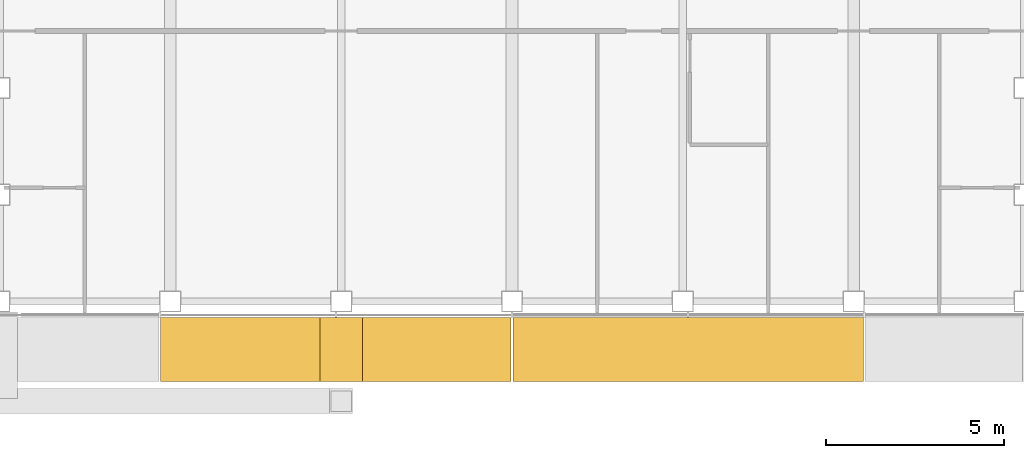
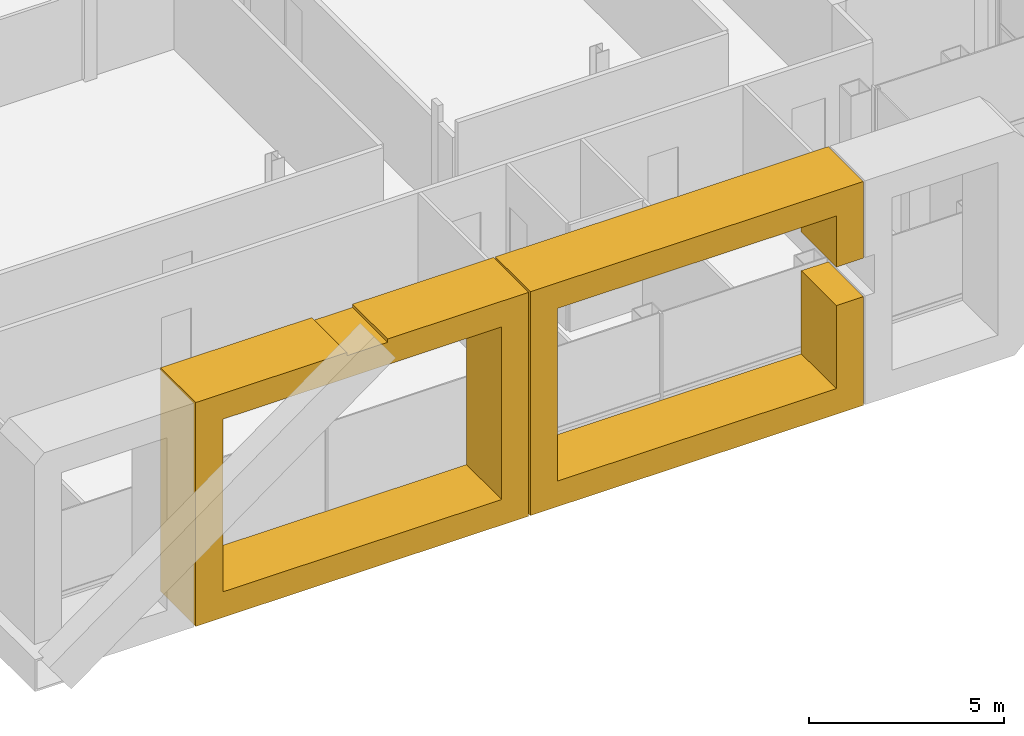
# One storey, part 16 of 23: 2 coverings.
"""IFC4 building model written with IfcOpenShell, lengths in metres."""

from ifc_helpers import new_model, si_unit, direction, frame, origin, place, context, subcontext, project, spatial, polyline, outline, extrude, material, type_object, element, save


model = new_model("IFC4")

# Units and contexts
model_context = context("Model", 3, precision=1e-05, world=origin(), true_north=direction((0.0, 1.0)))
body_context = subcontext(model_context, "Body", "Model", "MODEL_VIEW")
ifc_project = project(units=[si_unit("LENGTHUNIT", "METRE"), si_unit("AREAUNIT", "SQUARE_METRE"), si_unit("VOLUMEUNIT", "CUBIC_METRE"), si_unit("PLANEANGLEUNIT", "RADIAN"), si_unit("MASSUNIT", "GRAM", prefix="KILO")], contexts=[model_context])

# Site, building, storey
site_placement = place(None, origin())
site = spatial("IfcSite", under=ifc_project, at=site_placement, CompositionType="ELEMENT")
building_placement = place(site_placement, origin())
building = spatial("IfcBuilding", under=site, at=building_placement, Name="Cobrizo Arcos Hotel Tower", CompositionType="ELEMENT")
storey_placement = place(building_placement, frame((0.0, 0.0, 255.0)))
storey = spatial("IfcBuildingStorey", under=building, at=storey_placement, Name="L67", CompositionType="ELEMENT", Elevation=255.0)

# Coverings
ifc_material = material(Name="Aluminium 6063-T6 anodised bronze", Category="aluminium")
covering_type = type_object("IfcCoveringType", Name="FIN-F 1800", PredefinedType="CLADDING", material=ifc_material)
covering_1_placement = place(storey_placement, frame((-9.875, -20.85009765625, 0.0), z_axis=(0.0, -1.0, 0.0), x_axis=(1.0, 0.0, 0.0)))
element("IfcCovering", 1, at=covering_1_placement, inside=storey, type_object=covering_type, Name="Fin frame 416", PredefinedType="CLADDING", context=body_context, shape_type="SweptSolid", body=[
    extrude(outline(polyline([(9.85009765625, 7.0), (5.677001953125, 7.0), (5.677001953125, 6.89794921875), (4.472900390625, 6.89794921875), (4.472900390625, 7.0), (0.0, 7.0), (0.0, 0.0), (9.85009765625, 0.0), (9.85009765625, 7.0)]), holes=[polyline([(9.050048828125, 0.800048828125), (0.800048828125, 0.800048828125), (0.800048828125, 6.199951171875), (9.050048828125, 6.199951171875), (9.050048828125, 0.800048828125)])]), origin(), (0.0, 0.0, 1.0), 1.7998046875),
])
covering_2_placement = place(storey_placement, frame((0.02490234375, -20.85009765625, 0.0), z_axis=(0.0, -1.0, 0.0), x_axis=(1.0, 0.0, 0.0)))
element("IfcCovering", 2, at=covering_2_placement, inside=storey, type_object=covering_type, Name="Fin frame 417", PredefinedType="CLADDING", context=body_context, shape_type="SweptSolid", body=[
    extrude(outline(polyline([(9.85009765625, 0.0), (9.85009765625, 3.39794921875), (9.050048828125, 3.39794921875), (9.050048828125, 0.800048828125), (0.800048828125, 0.800048828125), (0.800048828125, 6.199951171875), (9.050048828125, 6.199951171875), (9.050048828125, 4.60205078125), (9.85009765625, 4.60205078125), (9.85009765625, 7.0), (0.0, 7.0), (0.0, 0.0), (9.85009765625, 0.0)])), origin(), (0.0, 0.0, 1.0), 1.7998046875),
])

save(model, "model.ifc")
